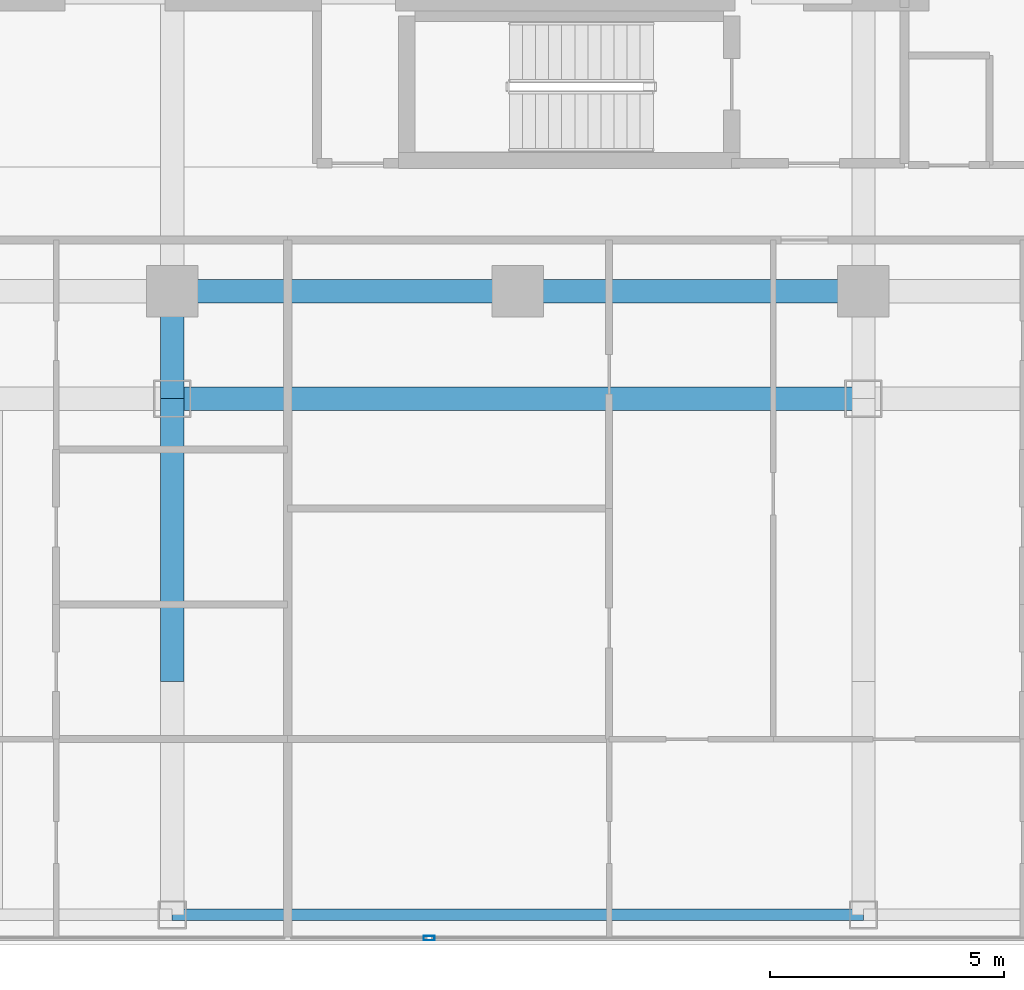
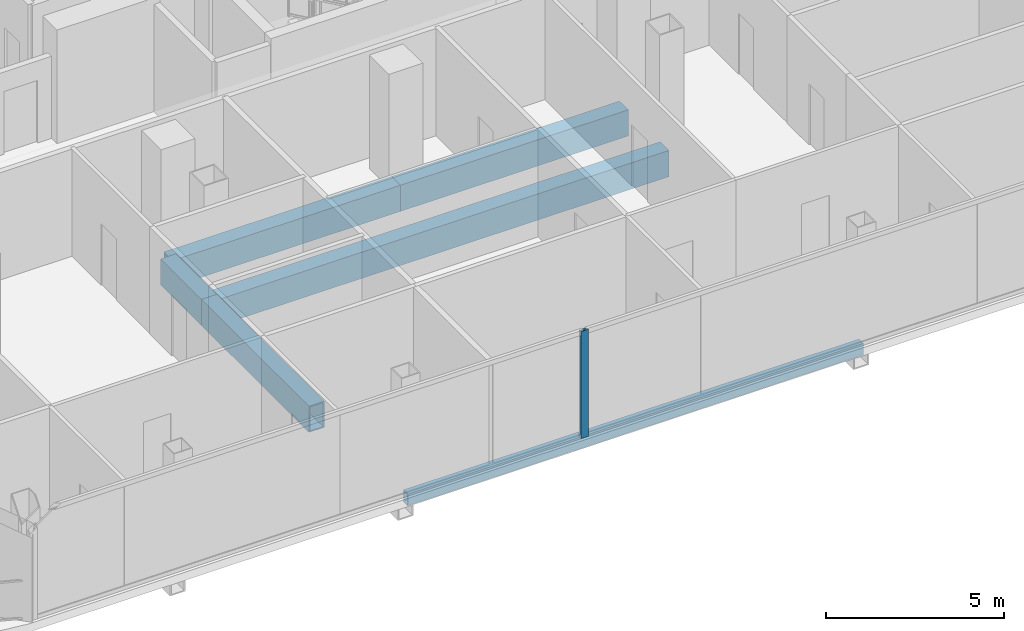
# One storey, part 4 of 24: 6 beams, 1 member, 1 element without a shape of its own.
"""IFC4 building model written with IfcOpenShell, lengths in metres."""

import ifcopenshell
import ifcopenshell.guid

model = None  # the IFC model being written
_history = None  # IfcOwnerHistory: only IFC2X3 demands one
_inside = {}  # id of a spatial element -> (the spatial element, [elements in it])
_under = {}  # id of a project, library or spatial element -> (it, [spatial elements below it])
_declared = {}  # id of a project -> (the project, [libraries it declares])
_typed = {}  # id of a type object -> (the type object, [elements of that type])
_made_of = {}  # id of a material, layer set ... -> (it, [elements and type objects made of it])


def new_model(schema):
    """Start an empty IFC model of exactly this schema.

    Asked for "IFC4X3", IfcOpenShell would pick the latest addendum, in which some entities
    have other attributes; the version numbers below select the first issue.
    IFC2X3 requires an IfcOwnerHistory on every rooted entity: one is made here for all.
    """
    global model, _history
    if schema == "IFC4X3":
        model = ifcopenshell.file(schema_version=(4, 3, 0, 0))
    else:
        model = ifcopenshell.file(schema=schema)
    _inside.clear()
    _under.clear()
    _declared.clear()
    _typed.clear()
    _made_of.clear()
    _history = None
    if model.schema == "IFC2X3":
        org = make("IfcOrganization", Name="unknown")
        user = make(
            "IfcPersonAndOrganization",
            ThePerson=make("IfcPerson", FamilyName="unknown"),
            TheOrganization=org,
        )
        app = make(
            "IfcApplication",
            ApplicationDeveloper=org,
            Version="unknown",
            ApplicationFullName="unknown",
            ApplicationIdentifier="unknown",
        )
        _history = make(
            "IfcOwnerHistory",
            OwningUser=user,
            OwningApplication=app,
            ChangeAction="ADDED",
            CreationDate=0,
        )
    return model


def make(cls, **values):
    """One entity of the class cls with the attributes given. An attribute that is None is left unset."""
    return model.create_entity(
        cls, **{name: value for name, value in values.items() if value is not None}
    )


def rooted(cls, **values):
    """An entity with a GlobalId (a new one), such as an element, a storey or a relation."""
    return make(cls, GlobalId=ifcopenshell.guid.new(), OwnerHistory=_history, **values)


def si_unit(unit_type, name, prefix=None):
    """IfcSIUnit, for example si_unit("LENGTHUNIT", "METRE", prefix="MILLI")."""
    return make("IfcSIUnit", UnitType=unit_type, Prefix=prefix, Name=name)


def assignment(units):
    """IfcUnitAssignment: the units of a project."""
    return None if units is None else make("IfcUnitAssignment", Units=units)


def point(xyz):
    """IfcCartesianPoint."""
    return None if xyz is None else make("IfcCartesianPoint", Coordinates=xyz)


def direction(xyz):
    """IfcDirection."""
    return None if xyz is None else make("IfcDirection", DirectionRatios=xyz)


def frame(location, z_axis=None, x_axis=None):
    """IfcAxis2Placement3D, a coordinate frame: its origin and axes. An axis left out is left unset."""
    return make(
        "IfcAxis2Placement3D",
        Location=point(location),
        Axis=direction(z_axis),
        RefDirection=direction(x_axis),
    )


def frame_2d(location, x_axis=None):
    """IfcAxis2Placement2D, a coordinate frame in the plane: its origin and x axis."""
    return make(
        "IfcAxis2Placement2D", Location=point(location), RefDirection=direction(x_axis)
    )


def origin():
    """The frame at (0, 0, 0) with its axes left unset."""
    return frame((0.0, 0.0, 0.0))


def origin_2d():
    """The frame at (0, 0) in the plane with its x axis left unset."""
    return frame_2d((0.0, 0.0))


def place(relative_to, where):
    """IfcLocalPlacement: puts the frame where relative to a parent placement (None: the world)."""
    return make(
        "IfcLocalPlacement", PlacementRelTo=relative_to, RelativePlacement=where
    )


def context(
    kind, dimensions, precision=None, world=None, true_north=None, identifier=None
):
    """IfcGeometricRepresentationContext, for example the 3D "Model" context."""
    return make(
        "IfcGeometricRepresentationContext",
        ContextIdentifier=identifier,
        ContextType=kind,
        CoordinateSpaceDimension=dimensions,
        Precision=precision,
        WorldCoordinateSystem=world,
        TrueNorth=true_north,
    )


def subcontext(parent, identifier, kind, view, scale=None):
    """IfcGeometricRepresentationSubContext, for example "Body" below "Model"."""
    return make(
        "IfcGeometricRepresentationSubContext",
        ContextIdentifier=identifier,
        ContextType=kind,
        ParentContext=parent,
        TargetScale=scale,
        TargetView=view,
    )


def project(units=None, contexts=None):
    """IfcProject with its units and contexts."""
    return rooted(
        "IfcProject",
        Name="project",
        RepresentationContexts=contexts,
        UnitsInContext=assignment(units),
    )


def spatial(cls, under=None, at=None, **own):
    """A site, building, storey or space (cls), placed at a placement, below another one or the project."""
    s = rooted(cls, ObjectPlacement=at, **own)
    if under is not None:
        _under.setdefault(under.id(), (under, []))[1].append(s)
    return s


def profile(cls, at=None, kind="AREA", **sizes):
    """A parametric profile (cls). Its sizes go by their IFC names, for example OverallWidth=200.0."""
    return make(cls, ProfileType=kind, Position=at, **sizes)


def hollow_rectangle(**sizes):
    """IfcRectangleHollowProfileDef."""
    return profile("IfcRectangleHollowProfileDef", **sizes)


def extrude(swept, where, along, depth):
    """IfcExtrudedAreaSolid: the profile swept, set in the frame where, extruded along a direction by depth."""
    return make(
        "IfcExtrudedAreaSolid",
        SweptArea=swept,
        Position=where,
        ExtrudedDirection=direction(along),
        Depth=depth,
    )


def shape(context_of_items, identifier, shape_type, items):
    """IfcShapeRepresentation: the items that make up one representation, for example the "Body"."""
    return make(
        "IfcShapeRepresentation",
        ContextOfItems=context_of_items,
        RepresentationIdentifier=identifier,
        RepresentationType=shape_type,
        Items=items,
    )


def material(Name=None, Category=None):
    """IfcMaterial."""
    return make("IfcMaterial", Name=Name, Category=Category)


def layer(
    of_material, thickness, ventilated=None, Name=None, Category=None, Priority=None
):
    """IfcMaterialLayer: one layer of a wall or slab, of a material (None: an air gap)."""
    return make(
        "IfcMaterialLayer",
        Material=of_material,
        LayerThickness=thickness,
        IsVentilated=ventilated,
        Name=Name,
        Category=Category,
        Priority=Priority,
    )


def layer_set(layers, Name=None):
    """IfcMaterialLayerSet."""
    return make("IfcMaterialLayerSet", MaterialLayers=layers, LayerSetName=Name)


def material_profile(
    of_material, cross_section, Name=None, Category=None, Priority=None
):
    """IfcMaterialProfile: a cross section and its material."""
    return make(
        "IfcMaterialProfile",
        Name=Name,
        Material=of_material,
        Profile=cross_section,
        Priority=Priority,
        Category=Category,
    )


def profile_set(profiles, Name=None, composite=None):
    """IfcMaterialProfileSet."""
    return make(
        "IfcMaterialProfileSet",
        Name=Name,
        MaterialProfiles=profiles,
        CompositeProfile=composite,
    )


def made_of(thing, what):
    """Note that an element or type object is made of a material, layer set ...; save() writes the relation."""
    if what is not None:
        _made_of.setdefault(what.id(), (what, []))[1].append(thing)
    return thing


def type_object(cls, material=None, **own):
    """A type object (cls), such as IfcWallType, which elements share."""
    return made_of(rooted(cls, **own), material)


def element(
    cls,
    number,
    at=None,
    inside=None,
    cuts=None,
    type_object=None,
    material=None,
    context=None,
    identifier="Body",
    shape_type=None,
    held_by="IfcProductDefinitionShape",
    body=None,
    shapes=None,
    **own,
):
    """One element of the class cls, such as IfcWall. Its Tag is "e" and its number.

    at: its placement. inside: the storey or other place that contains it. cuts: it is an
    opening in that element (IfcRelVoidsElement). A single representation is given by context,
    identifier, shape_type and body (its items); several are given by shapes. held_by: the class
    of the entity that holds the representations. save() writes the other relations.
    """
    e = rooted(cls, Tag="e%d" % number, ObjectPlacement=at, **own)
    if body is not None:
        shapes = [shape(context, identifier, shape_type, body)]
    if shapes is not None:
        e.Representation = make(held_by, Representations=shapes)
    if inside is not None:
        _inside.setdefault(inside.id(), (inside, []))[1].append(e)
    if cuts is not None:
        rooted(
            "IfcRelVoidsElement", RelatingBuildingElement=cuts, RelatedOpeningElement=e
        )
    if type_object is not None:
        _typed.setdefault(type_object.id(), (type_object, []))[1].append(e)
    return made_of(e, material)


def aggregate(whole, parts):
    """IfcRelAggregates: a whole, such as a stair, and the parts it consists of."""
    return rooted("IfcRelAggregates", RelatingObject=whole, RelatedObjects=parts)


def save(model, path):
    """Write the relations noted so far, then the file.

    IfcRelAggregates (storeys below a building ...), IfcRelContainedInSpatialStructure (elements
    in a storey), IfcRelDefinesByType, IfcRelAssociatesMaterial and IfcRelDeclares: one each for
    every whole, place, type object, material and project.
    """
    for whole, parts in _under.values():
        aggregate(whole, parts)
    for where, things in _inside.values():
        rooted(
            "IfcRelContainedInSpatialStructure",
            RelatedElements=things,
            RelatingStructure=where,
        )
    for kind, things in _typed.values():
        rooted("IfcRelDefinesByType", RelatedObjects=things, RelatingType=kind)
    for what, things in _made_of.values():
        rooted("IfcRelAssociatesMaterial", RelatedObjects=things, RelatingMaterial=what)
    for by, libraries in _declared.values():
        rooted("IfcRelDeclares", RelatingContext=by, RelatedDefinitions=libraries)
    model.write(path)


model = new_model("IFC4")

# Units and contexts
model_context = context("Model", 3, precision=1e-05, world=origin(), true_north=direction((0.0, 1.0)))
body_context = subcontext(model_context, "Body", "Model", "MODEL_VIEW")
ifc_project = project(units=[si_unit("LENGTHUNIT", "METRE"), si_unit("AREAUNIT", "SQUARE_METRE"), si_unit("VOLUMEUNIT", "CUBIC_METRE"), si_unit("PLANEANGLEUNIT", "RADIAN"), si_unit("MASSUNIT", "GRAM", prefix="KILO")], contexts=[model_context])

# Site, building, storey
site_placement = place(None, origin())
site = spatial("IfcSite", under=ifc_project, at=site_placement, CompositionType="ELEMENT")
building_placement = place(site_placement, origin())
building = spatial("IfcBuilding", under=site, at=building_placement, Name="Khorvyn Point Tower", CompositionType="ELEMENT")
storey_placement = place(building_placement, frame((0.0, 0.0, 191.39990234375)))
storey = spatial("IfcBuildingStorey", under=building, at=storey_placement, Name="L47", CompositionType="ELEMENT", Elevation=191.39990234375)

# Curtain wall, member
ifc_material_1 = material(Name="Anodised aluminium 6063-T6 and laminated Low-E glass", Category="aluminium")
ifc_layer = layer(ifc_material_1, 0.18994140625)
ifc_layer_set = layer_set([ifc_layer], Name="Stick-Built Acoustic Curtain Wall CW-SYS-03")
curtain_wall_type = type_object("IfcCurtainWallType", Name="Stick-Built Acoustic Curtain Wall CW-SYS-03", PredefinedType="NOTDEFINED", material=ifc_layer_set)
curtain_wall_placement = place(storey_placement, origin())
curtain_wall = element("IfcCurtainWall", 1, at=curtain_wall_placement, inside=storey, type_object=curtain_wall_type, Name="Curtain Wall", PredefinedType="NOTDEFINED")
ifc_material_2 = material(Name="Anodised aluminium 6063-T6", Category="aluminium")
ifc_material_profile_1 = material_profile(ifc_material_2, hollow_rectangle(XDim=0.10009765625, YDim=0.239990234375, WallThickness=0.0048828125, at=origin_2d()))
ifc_profile_set_1 = profile_set([ifc_material_profile_1], Name="Anodised aluminium 6063-T6 ALU-MUL-100x240")
member_type = type_object("IfcMemberType", Name="Anodised Aluminium 6063-T6 Mullion ALU-MUL-100x240", PredefinedType="MULLION", material=ifc_profile_set_1)
member_placement = place(storey_placement, frame((-1.89990234375, -28.64990234375, 0.0), z_axis=(0.0, 0.0, 1.0), x_axis=(0.0, -1.0, 0.0)))
member = element("IfcMember", 2, at=member_placement, type_object=member_type, Name="Transom", PredefinedType="MULLION", context=body_context, shape_type="SweptSolid", body=[
    extrude(hollow_rectangle(XDim=0.10009765625, YDim=0.239990234375, WallThickness=0.0048828125, at=origin_2d()), origin(), (0.0, 0.0, 1.0), 3.68017578125),
])
aggregate(curtain_wall, [member])

# Beams
ifc_material_3 = material(Name="Steel S355", Category="steel")
ifc_material_profile_2 = material_profile(ifc_material_3, hollow_rectangle(XDim=0.25, YDim=0.39990234375, WallThickness=0.01611328125, at=origin_2d()))
ifc_profile_set_2 = profile_set([ifc_material_profile_2], Name="Steel S355 RHS400x250x16")
beam_type_1 = type_object("IfcBeamType", Name="Steel S355 Spandrel RHS400x250x16", PredefinedType="SPANDREL", material=ifc_profile_set_2)
beam_1_placement = place(storey_placement, frame((-7.39990234375, -28.14990234375, -0.47998046875), z_axis=(1.0, 0.0, 0.0), x_axis=(0.0, 1.0, 0.0)))
element("IfcBeam", 3, at=beam_1_placement, inside=storey, type_object=beam_type_1, Name="Beam", PredefinedType="SPANDREL", context=body_context, shape_type="SweptSolid", body=[
    extrude(hollow_rectangle(XDim=0.25, YDim=0.39990234375, WallThickness=0.01611328125, at=origin_2d()), origin(), (0.0, 0.0, 1.0), 14.7998046875),
])
ifc_material_4 = material(Name="Steel S450", Category="steel")
ifc_material_profile_3 = material_profile(ifc_material_4, hollow_rectangle(XDim=0.5, YDim=0.89990234375, WallThickness=0.0400390625, at=origin_2d()))
ifc_profile_set_3 = profile_set([ifc_material_profile_3], Name="Steel S450 BOX900x500x40")
beam_type_2 = type_object("IfcBeamType", Name="Steel S450 Beam BOX900x500x40", PredefinedType="BEAM", material=ifc_profile_set_3)
for number, where, z_axis, x_axis, name in (
    (4, (-7.39990234375, -14.800048828125, -0.72998046875), (1.0, 0.0, 0.0), (0.0, 1.0, 0.0), "L47 Radial Transfer Girder"),
    (5, (0.0, -14.800048828125, -0.72998046875), (1.0, 0.0, 0.0), (0.0, 1.0, 0.0), "L47 Radial Transfer Girder"),
):
    element("IfcBeam", number, at=place(storey_placement, frame(where, z_axis=z_axis, x_axis=x_axis)), inside=storey, type_object=beam_type_2, Name=name, PredefinedType="BEAM", context=body_context, shape_type="SweptSolid", body=[
        extrude(hollow_rectangle(XDim=0.5, YDim=0.89990234375, WallThickness=0.0400390625, at=origin_2d()), origin(), (0.0, 0.0, 1.0), 7.39990234375),
    ])
beam_2_placement = place(storey_placement, frame((-7.39990234375, -17.10009765625, -0.72998046875), z_axis=(1.0, 0.0, 0.0), x_axis=(0.0, 1.0, 0.0)))
element("IfcBeam", 6, at=beam_2_placement, inside=storey, type_object=beam_type_2, Name="Beam", PredefinedType="BEAM", context=body_context, shape_type="SweptSolid", body=[
    extrude(hollow_rectangle(XDim=0.5, YDim=0.89990234375, WallThickness=0.0400390625, at=origin_2d()), origin(), (0.0, 0.0, 1.0), 14.7998046875),
])
beam_3_placement = place(storey_placement, frame((-7.39990234375, -23.14990234375, -0.72998046875), z_axis=(0.0, 1.0, 0.0), x_axis=(-1.0, 0.0, 0.0)))
element("IfcBeam", 7, at=beam_3_placement, inside=storey, type_object=beam_type_2, Name="Beam", PredefinedType="BEAM", context=body_context, shape_type="SweptSolid", body=[
    extrude(hollow_rectangle(XDim=0.5, YDim=0.89990234375, WallThickness=0.0400390625, at=origin_2d()), origin(), (0.0, 0.0, 1.0), 6.0498046875),
])
beam_4_placement = place(storey_placement, frame((-7.39990234375, -17.10009765625, -0.72998046875), z_axis=(0.0, 1.0, 0.0), x_axis=(-1.0, 0.0, 0.0)))
element("IfcBeam", 8, at=beam_4_placement, inside=storey, type_object=beam_type_2, Name="Beam", PredefinedType="BEAM", context=body_context, shape_type="SweptSolid", body=[
    extrude(hollow_rectangle(XDim=0.5, YDim=0.89990234375, WallThickness=0.0400390625, at=origin_2d()), origin(), (0.0, 0.0, 1.0), 2.300048828125),
])

save(model, "model.ifc")
